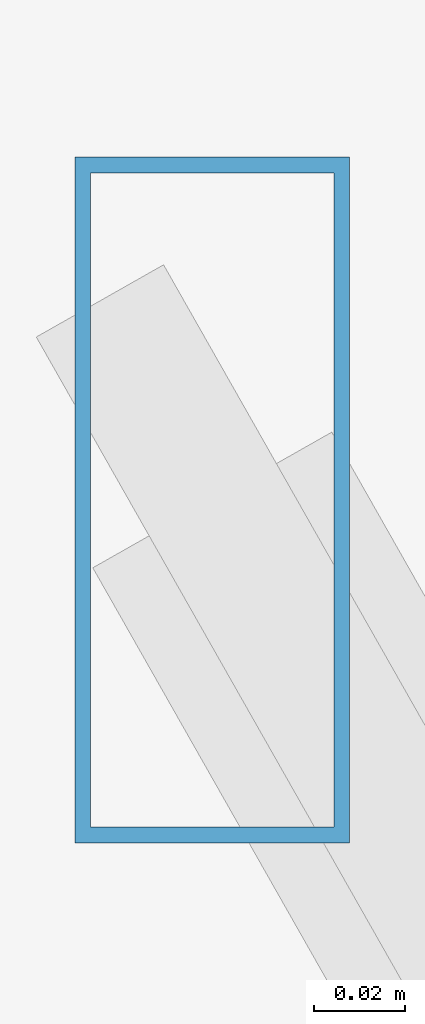
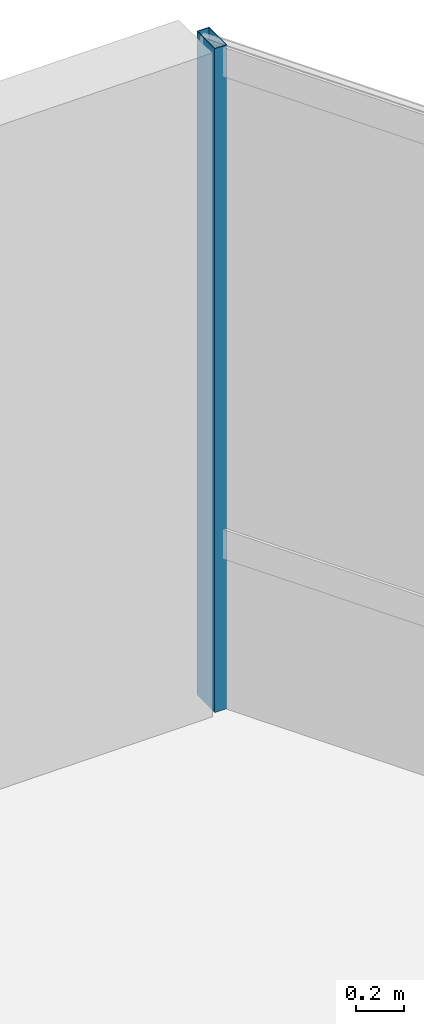
# One storey, part 30 of 41: 1 member, 1 element without a shape of its own.
"""IFC4 building model written with IfcOpenShell, lengths in metres."""

from ifc_helpers import new_model, si_unit, direction, frame, origin, origin_2d, place, context, subcontext, project, spatial, hollow_rectangle, extrude, source, transform, mapped, material, material_profile, profile_set, type_object, type_shapes, element, aggregate, save


model = new_model("IFC4")

# Units and contexts
model_context = context("Model", 3, precision=1e-05, world=origin(), true_north=direction((0.0, 1.0)))
body_context = subcontext(model_context, "Body", "Model", "MODEL_VIEW")
ifc_project = project(units=[si_unit("LENGTHUNIT", "METRE"), si_unit("AREAUNIT", "SQUARE_METRE"), si_unit("VOLUMEUNIT", "CUBIC_METRE"), si_unit("PLANEANGLEUNIT", "RADIAN"), si_unit("MASSUNIT", "GRAM", prefix="KILO")], contexts=[model_context])

# Site, building, storey
site_placement = place(None, origin())
site = spatial("IfcSite", under=ifc_project, at=site_placement, CompositionType="ELEMENT")
building_placement = place(site_placement, origin())
building = spatial("IfcBuilding", under=site, at=building_placement, Name="Caelisora Broadcast Tower", CompositionType="ELEMENT")
storey_placement = place(building_placement, frame((0.0, 0.0, 135.449951171875)))
storey = spatial("IfcBuildingStorey", under=building, at=storey_placement, Name="L35", CompositionType="ELEMENT", Elevation=135.449951171875)

# Curtain wall, member
ifc_material_1 = material(Name="Unitised Aluminium and Low-E Glass Curtain Wall", Category="glass")
curtain_wall_type = type_object("IfcCurtainWallType", Name="CW-Z3", PredefinedType="NOTDEFINED", material=ifc_material_1)
curtain_wall_placement = place(storey_placement, origin())
curtain_wall = element("IfcCurtainWall", 1, at=curtain_wall_placement, inside=storey, type_object=curtain_wall_type, Name="L35 curtain wall CW-Z3", PredefinedType="NOTDEFINED")
ifc_material_2 = material(Name="Aluminium 6063-T6 Anodised Terracotta Bronze", Category="aluminium")
ifc_material_profile = material_profile(ifc_material_2, hollow_rectangle(XDim=0.06005859375, YDim=0.14990234375, WallThickness=0.00341796875, at=origin_2d()), Name="Aluminium 6063-T6 Anodised Terracotta Bronze")
ifc_profile_set = profile_set([ifc_material_profile], Name="Aluminium 6063-T6 Anodised Terracotta Bronze")
member_type = type_object("IfcMemberType", Name="CWM-03", PredefinedType="MULLION", material=ifc_profile_set)
shared_shape = source(origin(), body_context, "Body", "SweptSolid", [
    extrude(hollow_rectangle(XDim=0.06005859375, YDim=0.14990234375, WallThickness=0.00341796875, at=origin_2d()), origin(), (0.0, 0.0, 1.0), 3.400146484375),
])
type_shapes(member_type, [shared_shape])
member_placement = place(storey_placement, frame((43.07763671875, 51.202392578125, 0.0), z_axis=(0.0, 0.0, 1.0), x_axis=(1.0, 0.0, 0.0)))
member = element("IfcMember", 2, at=member_placement, type_object=member_type, Name="L35-CW-B01 mullion #0", PredefinedType="MULLION", context=body_context, shape_type="MappedRepresentation", body=[
    mapped(shared_shape, transform((0.0, 0.0, 0.0), scale=1.0)),
])
aggregate(curtain_wall, [member])

save(model, "model.ifc")
